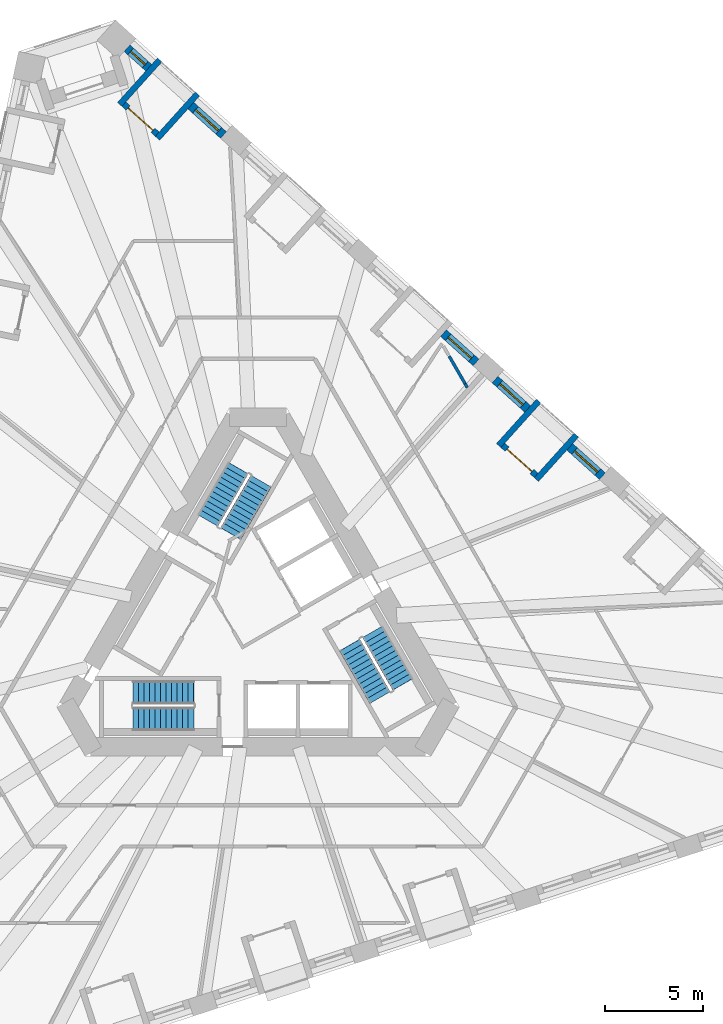
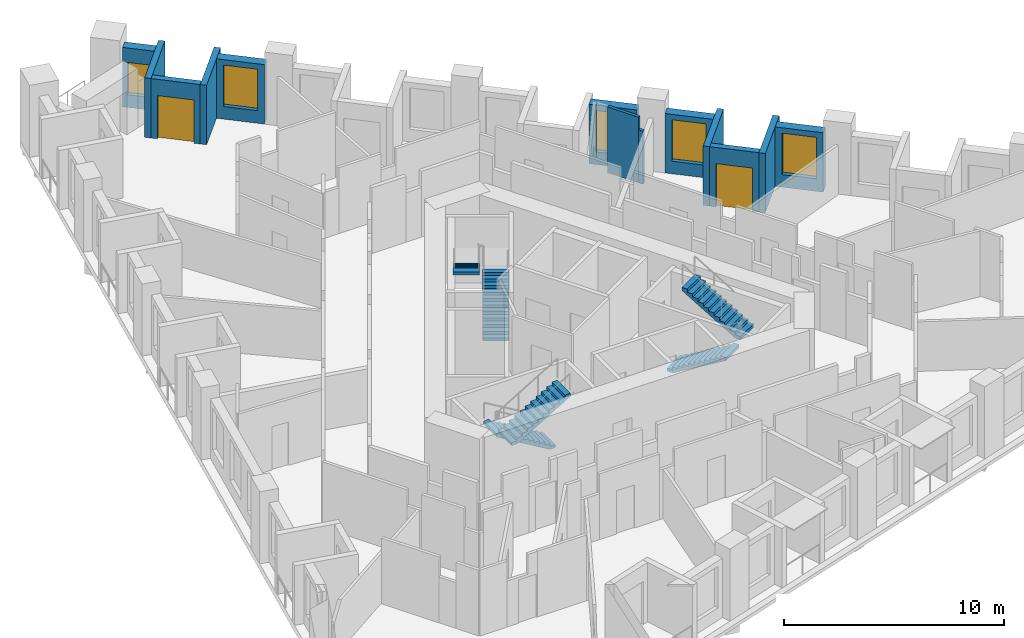
# One storey, part 9 of 12: 13 walls, 6 stair flights, 5 windows, 2 doors, 7 openings, 3 elements without a shape of their own.
"""IFC4 building model written with IfcOpenShell, lengths in metres."""

from ifc_helpers import new_model, si_unit, direction, frame, frame_2d, origin, place, context, subcontext, project, spatial, polyline, rectangle, outline, extrude, material, layer, layer_set, type_object, element, fill, aggregate, save


model = new_model("IFC4")

# Units and contexts
model_context = context("Model", 3, precision=1e-05, world=origin(), true_north=direction((0.0, 1.0)))
body_context = subcontext(model_context, "Body", "Model", "MODEL_VIEW")
ifc_project = project(units=[si_unit("LENGTHUNIT", "METRE"), si_unit("AREAUNIT", "SQUARE_METRE"), si_unit("VOLUMEUNIT", "CUBIC_METRE"), si_unit("PLANEANGLEUNIT", "RADIAN"), si_unit("MASSUNIT", "GRAM", prefix="KILO")], contexts=[model_context])

# Site, building, storey
site_placement = place(None, origin())
site = spatial("IfcSite", under=ifc_project, at=site_placement, CompositionType="ELEMENT")
building_placement = place(site_placement, origin())
building = spatial("IfcBuilding", under=site, at=building_placement, Name="Tramontana Tower", CompositionType="ELEMENT")
storey_placement = place(building_placement, frame((0.0, 0.0, 92.39990234375)))
storey = spatial("IfcBuildingStorey", under=building, at=storey_placement, Name="L20", CompositionType="ELEMENT", Elevation=92.39990234375)

# Wall, opening, window
ifc_material_1 = material(Name="Precast concrete 60 MPa", Category="concrete")
ifc_layer_1 = layer(ifc_material_1, 0.449951171875)
ifc_layer_set_1 = layer_set([ifc_layer_1], Name="Precast concrete 60 MPa, 450 mm")
wall_type_1 = type_object("IfcWallType", Name="EW1 Stone-faced precast wall 450", PredefinedType="SOLIDWALL", material=ifc_layer_set_1)
wall_1_placement = place(storey_placement, frame((17.54541015625, 7.51513671875, 0.0), z_axis=(0.0, 0.0, 1.0), x_axis=(-0.743142151309, 0.669133576311, 0.0)))
wall_1 = element("IfcWall", 1, at=wall_1_placement, inside=storey, type_object=wall_type_1, Name="External wall L20 face 2 bay 3", PredefinedType="SOLIDWALL", context=body_context, shape_type="SweptSolid", body=[
    extrude(rectangle(XDim=2.236572265625, YDim=0.449951171875, at=frame_2d((1.1181640625, 0.0))), origin(), (0.0, 0.0, 1.0), 3.300048828125),
])
opening_1_placement = place(wall_1_placement, frame((0.318359375, 0.0, 0.699951171875)))
opening_1 = element("IfcOpeningElement", 2, at=opening_1_placement, cuts=wall_1, Name="Opening M1", PredefinedType="OPENING", context=body_context, shape_type="SweptSolid", body=[
    extrude(rectangle(XDim=1.60009765625, YDim=2.300048828125, at=frame_2d((0.800048828125, 1.14990234375))), frame((0.0, 0.23486328125, 0.0), z_axis=(0.0, -1.0, 0.0), x_axis=(1.0, 0.0, 0.0)), (0.0, 0.0, 1.0), 0.469970703125),
])
ifc_material_2 = material(Name="Aluminum frame, double glazing unit", Category="aluminium")
window_type_1 = type_object("IfcWindowType", Name="M1 Window 1.6 x 2.3", PartitioningType="SINGLE_PANEL", PredefinedType="WINDOW", material=ifc_material_2)
window_1_placement = place(opening_1_placement, origin())
window_1 = element("IfcWindow", 3, at=window_1_placement, inside=storey, type_object=window_type_1, Name="Window M1 L20 face 2 module 7", OverallHeight=2.300048828125, OverallWidth=1.60009765625, PartitioningType="SINGLE_PANEL", PredefinedType="WINDOW", context=body_context, shape_type="SweptSolid", body=[
    extrude(rectangle(XDim=1.60009765625, YDim=2.300048828125, at=frame_2d((0.800048828125, 1.14990234375))), frame((0.0, 0.030029296875, 0.0), z_axis=(0.0, -1.0, 0.0), x_axis=(1.0, 0.0, 0.0)), (0.0, 0.0, 1.0), 0.06005859375),
])
fill(opening_1, window_1)

wall_2_placement = place(storey_placement, frame((13.738037109375, 10.943359375, 0.0), z_axis=(0.0, 0.0, 1.0), x_axis=(-0.743191019375, 0.669079299276, 0.0)))
wall_2 = element("IfcWall", 4, at=wall_2_placement, inside=storey, type_object=wall_type_1, Name="External wall L20 face 2 bay 3", PredefinedType="SOLIDWALL", context=body_context, shape_type="SweptSolid", body=[
    extrude(rectangle(XDim=2.23681640625, YDim=0.449951171875, at=frame_2d((1.118408203125, 0.0))), origin(), (0.0, 0.0, 1.0), 3.300048828125),
])
opening_2_placement = place(wall_2_placement, frame((0.318359375, 0.0, 0.699951171875)))
opening_2 = element("IfcOpeningElement", 5, at=opening_2_placement, cuts=wall_2, Name="Opening M1", PredefinedType="OPENING", context=body_context, shape_type="SweptSolid", body=[
    extrude(rectangle(XDim=1.60009765625, YDim=2.300048828125, at=frame_2d((0.800048828125, 1.14990234375))), frame((0.0, 0.23486328125, 0.0), z_axis=(0.0, -1.0, 0.0), x_axis=(1.0, 0.0, 0.0)), (0.0, 0.0, 1.0), 0.469970703125),
])
window_2_placement = place(opening_2_placement, origin())
window_2 = element("IfcWindow", 6, at=window_2_placement, inside=storey, type_object=window_type_1, Name="Window M1 L20 face 2 module 9", OverallHeight=2.300048828125, OverallWidth=1.60009765625, PartitioningType="SINGLE_PANEL", PredefinedType="WINDOW", context=body_context, shape_type="SweptSolid", body=[
    extrude(rectangle(XDim=1.60009765625, YDim=2.300048828125, at=frame_2d((0.800048828125, 1.14990234375))), frame((0.0, 0.030029296875, 0.0), z_axis=(0.0, -1.0, 0.0), x_axis=(1.0, 0.0, 0.0)), (0.0, 0.0, 1.0), 0.06005859375),
])
fill(opening_2, window_2)

wall_3_placement = place(storey_placement, frame((11.109619140625, 13.309814453125, 0.0), z_axis=(0.0, 0.0, 1.0), x_axis=(-0.743087873176, 0.669193852885, 0.0)))
wall_3 = element("IfcWall", 7, at=wall_3_placement, inside=storey, type_object=wall_type_1, Name="External wall L20 face 2 bay 4", PredefinedType="SOLIDWALL", context=body_context, shape_type="SweptSolid", body=[
    extrude(rectangle(XDim=2.23681640625, YDim=0.449951171875, at=frame_2d((1.118408203125, 0.0))), origin(), (0.0, 0.0, 1.0), 3.300048828125),
])
opening_3_placement = place(wall_3_placement, frame((0.318359375, 0.0, 0.699951171875)))
opening_3 = element("IfcOpeningElement", 8, at=opening_3_placement, cuts=wall_3, Name="Opening M1", PredefinedType="OPENING", context=body_context, shape_type="SweptSolid", body=[
    extrude(rectangle(XDim=1.60009765625, YDim=2.300048828125, at=frame_2d((0.800048828125, 1.14990234375))), frame((0.0, 0.23486328125, 0.0), z_axis=(0.0, -1.0, 0.0), x_axis=(1.0, 0.0, 0.0)), (0.0, 0.0, 1.0), 0.469970703125),
])
window_3_placement = place(opening_3_placement, origin())
window_3 = element("IfcWindow", 9, at=window_3_placement, inside=storey, type_object=window_type_1, Name="Window M1 L20 face 2 module 10", OverallHeight=2.300048828125, OverallWidth=1.60009765625, PartitioningType="SINGLE_PANEL", PredefinedType="WINDOW", context=body_context, shape_type="SweptSolid", body=[
    extrude(rectangle(XDim=1.60009765625, YDim=2.300048828125, at=frame_2d((0.800048828125, 1.14990234375))), frame((0.0, 0.030029296875, 0.0), z_axis=(0.0, -1.0, 0.0), x_axis=(1.0, 0.0, 0.0)), (0.0, 0.0, 1.0), 0.06005859375),
])
fill(opening_3, window_3)

wall_4_placement = place(storey_placement, frame((-1.761962890625, 24.899658203125, 0.0), z_axis=(0.0, 0.0, 1.0), x_axis=(-0.743191019375, 0.669079299276, 0.0)))
wall_4 = element("IfcWall", 10, at=wall_4_placement, inside=storey, type_object=wall_type_1, Name="External wall L20 face 2 bay 6", PredefinedType="SOLIDWALL", context=body_context, shape_type="SweptSolid", body=[
    extrude(rectangle(XDim=2.23681640625, YDim=0.449951171875, at=frame_2d((1.118408203125, 0.0))), origin(), (0.0, 0.0, 1.0), 3.300048828125),
])
opening_4_placement = place(wall_4_placement, frame((0.318359375, 0.0, 0.699951171875)))
opening_4 = element("IfcOpeningElement", 11, at=opening_4_placement, cuts=wall_4, Name="Opening M1", PredefinedType="OPENING", context=body_context, shape_type="SweptSolid", body=[
    extrude(rectangle(XDim=1.60009765625, YDim=2.300048828125, at=frame_2d((0.800048828125, 1.14990234375))), frame((0.0, 0.23486328125, 0.0), z_axis=(0.0, -1.0, 0.0), x_axis=(1.0, 0.0, 0.0)), (0.0, 0.0, 1.0), 0.469970703125),
])
window_4_placement = place(opening_4_placement, origin())
window_4 = element("IfcWindow", 12, at=window_4_placement, inside=storey, type_object=window_type_1, Name="Window M1 L20 face 2 module 16", OverallHeight=2.300048828125, OverallWidth=1.60009765625, PartitioningType="SINGLE_PANEL", PredefinedType="WINDOW", context=body_context, shape_type="SweptSolid", body=[
    extrude(rectangle(XDim=1.60009765625, YDim=2.300048828125, at=frame_2d((0.800048828125, 1.14990234375))), frame((0.0, 0.030029296875, 0.0), z_axis=(0.0, -1.0, 0.0), x_axis=(1.0, 0.0, 0.0)), (0.0, 0.0, 1.0), 0.06005859375),
])
fill(opening_4, window_4)

wall_5_placement = place(storey_placement, frame((-5.569580078125, 28.327880859375, 0.0), z_axis=(0.0, 0.0, 1.0), x_axis=(-0.743089972274, 0.669191521992, 0.0)))
wall_5 = element("IfcWall", 13, at=wall_5_placement, inside=storey, type_object=wall_type_1, Name="External wall L20 face 2 bay 6", PredefinedType="SOLIDWALL", context=body_context, shape_type="SweptSolid", body=[
    extrude(rectangle(XDim=1.486572265625, YDim=0.449951171875, at=frame_2d((0.7431640625, 0.0))), origin(), (0.0, 0.0, 1.0), 3.300048828125),
])
opening_5_placement = place(wall_5_placement, frame((0.243408203125, 0.0, 0.699951171875)))
opening_5 = element("IfcOpeningElement", 14, at=opening_5_placement, cuts=wall_5, Name="Opening N1L", PredefinedType="OPENING", context=body_context, shape_type="SweptSolid", body=[
    extrude(rectangle(XDim=1.0, YDim=1.800048828125, at=frame_2d((0.5, 0.89990234375))), frame((0.0, 0.23486328125, 0.0), z_axis=(0.0, -1.0, 0.0), x_axis=(1.0, 0.0, 0.0)), (0.0, 0.0, 1.0), 0.469970703125),
])
ifc_material_3 = material(Name="Aluminum frame, double glazing unit", Category="aluminium")
window_type_2 = type_object("IfcWindowType", Name="N1L Window 1 x 1.8", PartitioningType="SINGLE_PANEL", PredefinedType="WINDOW", material=ifc_material_3)
window_5_placement = place(opening_5_placement, origin())
window_5 = element("IfcWindow", 15, at=window_5_placement, inside=storey, type_object=window_type_2, Name="Window N1L L20 face 2 module 18", OverallHeight=1.800048828125, OverallWidth=1.0, PartitioningType="SINGLE_PANEL", PredefinedType="WINDOW", context=body_context, shape_type="SweptSolid", body=[
    extrude(rectangle(XDim=1.0, YDim=1.800048828125, at=frame_2d((0.5, 0.89990234375))), frame((0.0, 0.030029296875, 0.0), z_axis=(0.0, -1.0, 0.0), x_axis=(1.0, 0.0, 0.0)), (0.0, 0.0, 1.0), 0.06005859375),
])
fill(opening_5, window_5)

# Wall, opening, door
ifc_material_4 = material(Name="Precast concrete 60 MPa", Category="concrete")
ifc_layer_2 = layer(ifc_material_4, 0.300048828125)
ifc_layer_set_2 = layer_set([ifc_layer_2], Name="LW1 Stone-faced loggia wall 300")
wall_type_2 = type_object("IfcWallType", Name="LW1 Stone-faced loggia wall 300", PredefinedType="SOLIDWALL", material=ifc_layer_set_2)
wall_6_placement = place(storey_placement, frame((14.17138671875, 7.55908203125, 0.0), z_axis=(0.0, 0.0, 1.0), x_axis=(-0.743134851659, 0.66914168324, 0.0)))
wall_6 = element("IfcWall", 16, at=wall_6_placement, inside=storey, type_object=wall_type_2, Name="Loggia wall L20 G2S2.7", PredefinedType="SOLIDWALL", context=body_context, shape_type="SweptSolid", body=[
    extrude(rectangle(XDim=2.28662109375, YDim=0.300048828125, at=frame_2d((1.143310546875, 0.0))), origin(), (0.0, 0.0, 1.0), 3.300048828125),
])
opening_6_placement = place(wall_6_placement, frame((0.29345703125, 0.0, 0.0)))
opening_6 = element("IfcOpeningElement", 17, at=opening_6_placement, cuts=wall_6, Name="Opening BD-2S2-07", PredefinedType="OPENING", context=body_context, shape_type="SweptSolid", body=[
    extrude(rectangle(XDim=1.699951171875, YDim=2.39990234375, at=frame_2d((0.85009765625, 1.199951171875))), frame((0.0, 0.159912109375, 0.0), z_axis=(0.0, -1.0, 0.0), x_axis=(1.0, 0.0, 0.0)), (0.0, 0.0, 1.0), 0.320068359375),
])
ifc_material_5 = material(Name="Aluminum frame, double glazing unit", Category="aluminium")
door_type = type_object("IfcDoorType", Name="BD1 Sliding door 1.7 x 2.4", OperationType="SLIDING_TO_LEFT", PredefinedType="DOOR", material=ifc_material_5)
door_1_placement = place(opening_6_placement, origin())
door_1 = element("IfcDoor", 18, at=door_1_placement, inside=storey, type_object=door_type, Name="Loggia door L20 G2S2.7", OperationType="SLIDING_TO_LEFT", OverallHeight=2.39990234375, OverallWidth=1.699951171875, PredefinedType="DOOR", context=body_context, shape_type="SweptSolid", body=[
    extrude(rectangle(XDim=1.699951171875, YDim=2.39990234375, at=frame_2d((0.85009765625, 1.199951171875))), frame((0.0, 0.02490234375, 0.0), z_axis=(0.0, -1.0, 0.0), x_axis=(1.0, 0.0, 0.0)), (0.0, 0.0, 1.0), 0.050048828125),
])
fill(opening_6, door_1)

# Walls
for number, where, z_axis, x_axis, name in (
    (19, (16.223388671875, 9.61376953125, 0.0), (0.0, 0.0, 1.0), (-0.669115082961, -0.743158802514, 0.0), "Loggia return L20 G2S2.7a"),
    (20, (14.301025390625, 11.3447265625, 0.0), (0.0, 0.0, 1.0), (-0.669115082961, -0.743158802514, 0.0), "Loggia return L20 G2S2.7b"),
):
    element("IfcWall", number, at=place(storey_placement, frame(where, z_axis=z_axis, x_axis=x_axis)), inside=storey, type_object=wall_type_2, Name=name, PredefinedType="SOLIDWALL", context=body_context, shape_type="SweptSolid", body=[
        extrude(rectangle(XDim=3.050048828125, YDim=0.300048828125, at=frame_2d((1.52490234375, 0.0))), origin(), (0.0, 0.0, 1.0), 3.300048828125),
    ])

# Wall, opening, door
wall_7_placement = place(storey_placement, frame((-5.135986328125, 24.943603515625, 0.0), z_axis=(0.0, 0.0, 1.0), x_axis=(-0.743182653308, 0.669088591909, 0.0)))
wall_7 = element("IfcWall", 21, at=wall_7_placement, inside=storey, type_object=wall_type_2, Name="Loggia wall L20 G2S2.16", PredefinedType="SOLIDWALL", context=body_context, shape_type="SweptSolid", body=[
    extrude(rectangle(XDim=2.28662109375, YDim=0.300048828125, at=frame_2d((1.143310546875, 0.0))), origin(), (0.0, 0.0, 1.0), 3.300048828125),
])
opening_7_placement = place(wall_7_placement, frame((0.29345703125, 0.0, 0.0)))
opening_7 = element("IfcOpeningElement", 22, at=opening_7_placement, cuts=wall_7, Name="Opening BD-2S2-16", PredefinedType="OPENING", context=body_context, shape_type="SweptSolid", body=[
    extrude(rectangle(XDim=1.699951171875, YDim=2.39990234375, at=frame_2d((0.85009765625, 1.199951171875))), frame((0.0, 0.159912109375, 0.0), z_axis=(0.0, -1.0, 0.0), x_axis=(1.0, 0.0, 0.0)), (0.0, 0.0, 1.0), 0.320068359375),
])
door_2_placement = place(opening_7_placement, origin())
door_2 = element("IfcDoor", 23, at=door_2_placement, inside=storey, type_object=door_type, Name="Loggia door L20 G2S2.16", OperationType="SLIDING_TO_LEFT", OverallHeight=2.39990234375, OverallWidth=1.699951171875, PredefinedType="DOOR", context=body_context, shape_type="SweptSolid", body=[
    extrude(rectangle(XDim=1.699951171875, YDim=2.39990234375, at=frame_2d((0.85009765625, 1.199951171875))), frame((0.0, 0.02490234375, 0.0), z_axis=(0.0, -1.0, 0.0), x_axis=(1.0, 0.0, 0.0)), (0.0, 0.0, 1.0), 0.050048828125),
])
fill(opening_7, door_2)

# Walls
for number, where, z_axis, x_axis, name in (
    (24, (-3.083984375, 26.998291015625, 0.0), (0.0, 0.0, 1.0), (-0.669159288314, -0.743118999127, 0.0), "Loggia return L20 G2S2.16a"),
    (25, (-5.00634765625, 28.729248046875, 0.0), (0.0, 0.0, 1.0), (-0.669115082961, -0.743158802514, 0.0), "Loggia return L20 G2S2.16b"),
):
    element("IfcWall", number, at=place(storey_placement, frame(where, z_axis=z_axis, x_axis=x_axis)), inside=storey, type_object=wall_type_2, Name=name, PredefinedType="SOLIDWALL", context=body_context, shape_type="SweptSolid", body=[
        extrude(rectangle(XDim=3.050048828125, YDim=0.300048828125, at=frame_2d((1.52490234375, 0.0))), origin(), (0.0, 0.0, 1.0), 3.300048828125),
    ])
ifc_material_6 = material(Name="Gypsum board partition")
ifc_layer_3 = layer(ifc_material_6, 0.14990234375)
ifc_layer_set_3 = layer_set([ifc_layer_3], Name="PARTITION 150")
wall_type_3 = type_object("IfcWallType", Name="PARTITION 150", PredefinedType="PARTITIONING", material=ifc_layer_set_3)
wall_8_placement = place(storey_placement, frame((9.73681640625, 13.635498046875, 0.0), z_axis=(0.0, 0.0, 1.0), x_axis=(0.499955758317, -0.866050945225, 0.0)))
element("IfcWall", 26, at=wall_8_placement, inside=storey, type_object=wall_type_3, Name="Wall v20-pw29-0", PredefinedType="PARTITIONING", context=body_context, shape_type="SweptSolid", body=[
    extrude(rectangle(XDim=1.630615234375, YDim=0.14990234375, at=frame_2d((0.8154296875, 0.0))), origin(), (0.0, 0.0, 1.0), 3.650146484375),
])
wall_9_placement = place(storey_placement, frame((10.552001953125, 12.223388671875, 0.0), z_axis=(0.0, 0.0, 1.0), x_axis=(0.499785569122, -0.866149170119, 0.0)))
element("IfcWall", 27, at=wall_9_placement, inside=storey, type_object=wall_type_3, Name="Wall v20-pw29-1", PredefinedType="PARTITIONING", context=body_context, shape_type="SweptSolid", body=[
    extrude(rectangle(XDim=0.22314453125, YDim=0.14990234375, at=frame_2d((0.111572265625, 0.0))), origin(), (0.0, 0.0, 1.0), 2.9501953125),
])

# Stair, stair flights
ifc_material_7 = material(Name="Concrete 40 MPa", Category="concrete")
stair_type = type_object("IfcStairType", Name="EXIT STAIR 24 RISERS", PredefinedType="HALF_TURN_STAIR", material=ifc_material_7)
stair_1_placement = place(storey_placement, origin())
stair_1 = element("IfcStair", 28, at=stair_1_placement, inside=storey, type_object=stair_type, Name="L20 Exit stair ST1", PredefinedType="HALF_TURN_STAIR")
ifc_material_8 = material(Name="Concrete 40 MPa", Category="concrete")
ifc_layer_4 = layer(ifc_material_8, 0.14990234375)
ifc_layer_set_4 = layer_set([ifc_layer_4], Name="EXIT STAIR FLIGHT")
stair_flight_type = type_object("IfcStairFlightType", Name="EXIT STAIR FLIGHT", PredefinedType="STRAIGHT", material=ifc_layer_set_4)
stair_flight_1_placement = place(storey_placement, frame((-1.39111328125, 4.590576171875, 0.0), z_axis=(0.0, 0.0, 1.0), x_axis=(0.5, 0.866025403784, 0.0)))
stair_flight_1 = element("IfcStairFlight", 29, at=stair_flight_1_placement, type_object=stair_flight_type, Name="ST1 flight 1", NumberOfRisers=12, NumberOfTreads=11, PredefinedType="STRAIGHT", RiserHeight=0.166666667, TreadLength=0.28, context=body_context, shape_type="SweptSolid", body=[
    extrude(outline(polyline([(-0.006103515625, 0.0), (-0.006103515625, 0.0400390625), (0.0, 0.0400390625), (0.0, 0.166748046875), (0.280029296875, 0.166748046875), (0.280029296875, 0.333251953125), (0.56005859375, 0.333251953125), (0.56005859375, 0.5), (0.840087890625, 0.5), (0.840087890625, 0.666748046875), (1.1201171875, 0.666748046875), (1.1201171875, 0.833251953125), (1.39990234375, 0.833251953125), (1.39990234375, 1.0), (1.679931640625, 1.0), (1.679931640625, 1.166748046875), (1.9599609375, 1.166748046875), (1.9599609375, 1.333251953125), (2.239990234375, 1.333251953125), (2.239990234375, 1.5), (2.52001953125, 1.5), (2.52001953125, 1.666748046875), (2.800048828125, 1.666748046875), (2.800048828125, 1.833251953125), (3.080078125, 1.833251953125), (3.0859375, 1.833251953125), (3.0859375, 1.658935546875), (0.299072265625, 0.0), (-0.006103515625, 0.0)])), frame((0.0, 0.60009765625, 0.0), z_axis=(0.0, -1.0, 0.0), x_axis=(1.0, 0.0, 0.0)), (0.0, 0.0, 1.0), 1.199951171875),
])
stair_flight_2_placement = place(storey_placement, frame((-1.020263671875, 7.932861328125, 2.0), z_axis=(0.0, 0.0, 1.0), x_axis=(-0.5, -0.866025403784, 0.0)))
stair_flight_2 = element("IfcStairFlight", 30, at=stair_flight_2_placement, type_object=stair_flight_type, Name="ST1 flight 2", NumberOfRisers=12, NumberOfTreads=11, PredefinedType="STRAIGHT", RiserHeight=0.166666667, TreadLength=0.28, context=body_context, shape_type="SweptSolid", body=[
    extrude(outline(polyline([(-0.006103515625, 0.0), (-0.006103515625, 0.0400390625), (0.0, 0.0400390625), (0.0, 0.166748046875), (0.280029296875, 0.166748046875), (0.280029296875, 0.333251953125), (0.56005859375, 0.333251953125), (0.56005859375, 0.5), (0.840087890625, 0.5), (0.840087890625, 0.666748046875), (1.1201171875, 0.666748046875), (1.1201171875, 0.833251953125), (1.39990234375, 0.833251953125), (1.39990234375, 1.0), (1.679931640625, 1.0), (1.679931640625, 1.166748046875), (1.9599609375, 1.166748046875), (1.9599609375, 1.333251953125), (2.239990234375, 1.333251953125), (2.239990234375, 1.5), (2.52001953125, 1.5), (2.52001953125, 1.666748046875), (2.800048828125, 1.666748046875), (2.800048828125, 1.833251953125), (3.080078125, 1.833251953125), (3.0859375, 1.833251953125), (3.0859375, 1.658935546875), (0.299072265625, 0.0), (-0.006103515625, 0.0)])), frame((0.0, 0.60009765625, 0.0), z_axis=(0.0, -1.0, 0.0), x_axis=(1.0, 0.0, 0.0)), (0.0, 0.0, 1.0), 1.199951171875),
])
aggregate(stair_1, [stair_flight_1, stair_flight_2])

stair_2_placement = place(storey_placement, origin())
stair_2 = element("IfcStair", 31, at=stair_2_placement, inside=storey, type_object=stair_type, Name="L20 Exit stair ST2", PredefinedType="HALF_TURN_STAIR")
stair_flight_3_placement = place(storey_placement, frame((-3.280029296875, -3.5, 0.0), z_axis=(0.0, 0.0, 1.0), x_axis=(-1.0, 0.0, 0.0)))
stair_flight_3 = element("IfcStairFlight", 32, at=stair_flight_3_placement, type_object=stair_flight_type, Name="ST2 flight 1", NumberOfRisers=12, NumberOfTreads=11, PredefinedType="STRAIGHT", RiserHeight=0.166666667, TreadLength=0.28, context=body_context, shape_type="SweptSolid", body=[
    extrude(outline(polyline([(-0.006103515625, 0.0), (-0.006103515625, 0.0400390625), (0.0, 0.0400390625), (0.0, 0.166748046875), (0.280029296875, 0.166748046875), (0.280029296875, 0.333251953125), (0.56005859375, 0.333251953125), (0.56005859375, 0.5), (0.840087890625, 0.5), (0.840087890625, 0.666748046875), (1.1201171875, 0.666748046875), (1.1201171875, 0.833251953125), (1.39990234375, 0.833251953125), (1.39990234375, 1.0), (1.679931640625, 1.0), (1.679931640625, 1.166748046875), (1.9599609375, 1.166748046875), (1.9599609375, 1.333251953125), (2.239990234375, 1.333251953125), (2.239990234375, 1.5), (2.52001953125, 1.5), (2.52001953125, 1.666748046875), (2.800048828125, 1.666748046875), (2.800048828125, 1.833251953125), (3.080078125, 1.833251953125), (3.0859375, 1.833251953125), (3.0859375, 1.658935546875), (0.299072265625, 0.0), (-0.006103515625, 0.0)])), frame((0.0, 0.60009765625, 0.0), z_axis=(0.0, -1.0, 0.0), x_axis=(1.0, 0.0, 0.0)), (0.0, 0.0, 1.0), 1.199951171875),
])
stair_flight_4_placement = place(storey_placement, frame((-6.360107421875, -4.85009765625, 2.0), z_axis=(0.0, 0.0, 1.0), x_axis=(1.0, 0.0, 0.0)))
stair_flight_4 = element("IfcStairFlight", 33, at=stair_flight_4_placement, type_object=stair_flight_type, Name="ST2 flight 2", NumberOfRisers=12, NumberOfTreads=11, PredefinedType="STRAIGHT", RiserHeight=0.166666667, TreadLength=0.28, context=body_context, shape_type="SweptSolid", body=[
    extrude(outline(polyline([(-0.006103515625, 0.0), (-0.006103515625, 0.0400390625), (0.0, 0.0400390625), (0.0, 0.166748046875), (0.280029296875, 0.166748046875), (0.280029296875, 0.333251953125), (0.56005859375, 0.333251953125), (0.56005859375, 0.5), (0.840087890625, 0.5), (0.840087890625, 0.666748046875), (1.1201171875, 0.666748046875), (1.1201171875, 0.833251953125), (1.39990234375, 0.833251953125), (1.39990234375, 1.0), (1.679931640625, 1.0), (1.679931640625, 1.166748046875), (1.9599609375, 1.166748046875), (1.9599609375, 1.333251953125), (2.239990234375, 1.333251953125), (2.239990234375, 1.5), (2.52001953125, 1.5), (2.52001953125, 1.666748046875), (2.800048828125, 1.666748046875), (2.800048828125, 1.833251953125), (3.080078125, 1.833251953125), (3.0859375, 1.833251953125), (3.0859375, 1.658935546875), (0.299072265625, 0.0), (-0.006103515625, 0.0)])), frame((0.0, 0.60009765625, 0.0), z_axis=(0.0, -1.0, 0.0), x_axis=(1.0, 0.0, 0.0)), (0.0, 0.0, 1.0), 1.199951171875),
])
aggregate(stair_2, [stair_flight_3, stair_flight_4])

stair_3_placement = place(storey_placement, origin())
stair_3 = element("IfcStair", 34, at=stair_3_placement, inside=storey, type_object=stair_type, Name="L20 Exit stair ST3", PredefinedType="HALF_TURN_STAIR")
stair_flight_5_placement = place(storey_placement, frame((4.671142578125, -1.090576171875, 0.0), z_axis=(0.0, 0.0, 1.0), x_axis=(0.5, -0.866025403784, 0.0)))
stair_flight_5 = element("IfcStairFlight", 35, at=stair_flight_5_placement, type_object=stair_flight_type, Name="ST3 flight 1", NumberOfRisers=12, NumberOfTreads=11, PredefinedType="STRAIGHT", RiserHeight=0.166666667, TreadLength=0.28, context=body_context, shape_type="SweptSolid", body=[
    extrude(outline(polyline([(-0.006103515625, 0.0), (-0.006103515625, 0.0400390625), (0.0, 0.0400390625), (0.0, 0.166748046875), (0.280029296875, 0.166748046875), (0.280029296875, 0.333251953125), (0.56005859375, 0.333251953125), (0.56005859375, 0.5), (0.840087890625, 0.5), (0.840087890625, 0.666748046875), (1.1201171875, 0.666748046875), (1.1201171875, 0.833251953125), (1.39990234375, 0.833251953125), (1.39990234375, 1.0), (1.679931640625, 1.0), (1.679931640625, 1.166748046875), (1.9599609375, 1.166748046875), (1.9599609375, 1.333251953125), (2.239990234375, 1.333251953125), (2.239990234375, 1.5), (2.52001953125, 1.5), (2.52001953125, 1.666748046875), (2.800048828125, 1.666748046875), (2.800048828125, 1.833251953125), (3.080078125, 1.833251953125), (3.0859375, 1.833251953125), (3.0859375, 1.658935546875), (0.299072265625, 0.0), (-0.006103515625, 0.0)])), frame((0.0, 0.60009765625, 0.0), z_axis=(0.0, -1.0, 0.0), x_axis=(1.0, 0.0, 0.0)), (0.0, 0.0, 1.0), 1.199951171875),
])
stair_flight_6_placement = place(storey_placement, frame((7.380126953125, -3.0830078125, 2.0), z_axis=(0.0, 0.0, 1.0), x_axis=(-0.5, 0.866025403784, 0.0)))
stair_flight_6 = element("IfcStairFlight", 36, at=stair_flight_6_placement, type_object=stair_flight_type, Name="ST3 flight 2", NumberOfRisers=12, NumberOfTreads=11, PredefinedType="STRAIGHT", RiserHeight=0.166666667, TreadLength=0.28, context=body_context, shape_type="SweptSolid", body=[
    extrude(outline(polyline([(-0.006103515625, 0.0), (-0.006103515625, 0.0400390625), (0.0, 0.0400390625), (0.0, 0.166748046875), (0.280029296875, 0.166748046875), (0.280029296875, 0.333251953125), (0.56005859375, 0.333251953125), (0.56005859375, 0.5), (0.840087890625, 0.5), (0.840087890625, 0.666748046875), (1.1201171875, 0.666748046875), (1.1201171875, 0.833251953125), (1.39990234375, 0.833251953125), (1.39990234375, 1.0), (1.679931640625, 1.0), (1.679931640625, 1.166748046875), (1.9599609375, 1.166748046875), (1.9599609375, 1.333251953125), (2.239990234375, 1.333251953125), (2.239990234375, 1.5), (2.52001953125, 1.5), (2.52001953125, 1.666748046875), (2.800048828125, 1.666748046875), (2.800048828125, 1.833251953125), (3.080078125, 1.833251953125), (3.0859375, 1.833251953125), (3.0859375, 1.658935546875), (0.299072265625, 0.0), (-0.006103515625, 0.0)])), frame((0.0, 0.60009765625, 0.0), z_axis=(0.0, -1.0, 0.0), x_axis=(1.0, 0.0, 0.0)), (0.0, 0.0, 1.0), 1.199951171875),
])
aggregate(stair_3, [stair_flight_5, stair_flight_6])

save(model, "model.ifc")
